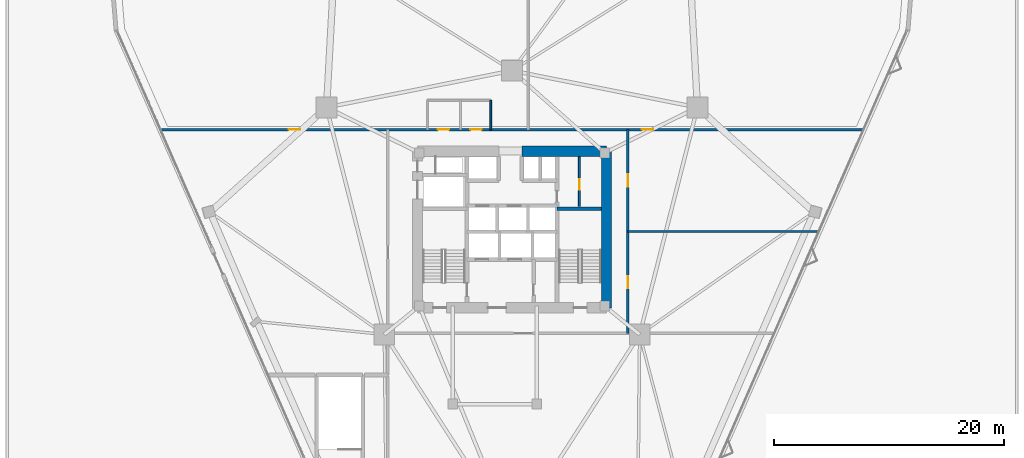
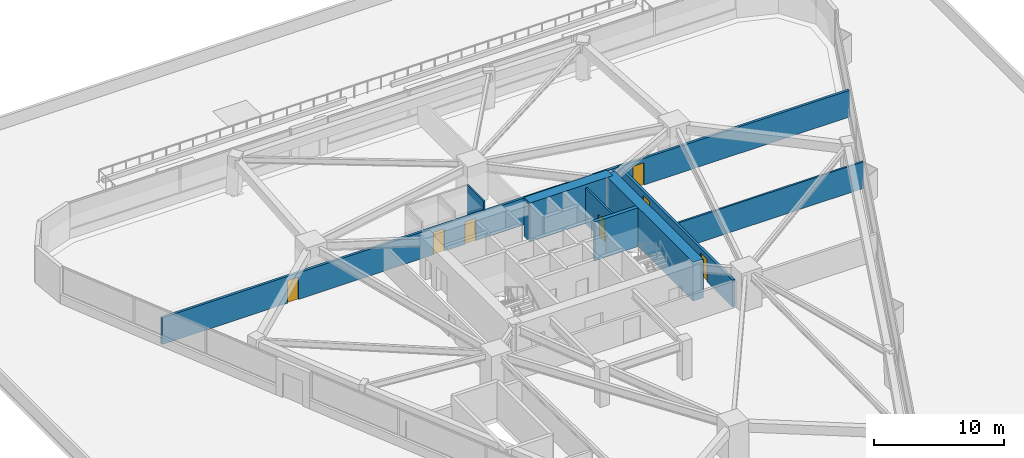
# One storey, part 18 of 21: 8 walls, 7 doors, 7 openings.
"""IFC4 building model written with IfcOpenShell, lengths in metres."""

from ifc_helpers import new_model, si_unit, direction, frame, frame_2d, origin, place, context, subcontext, project, spatial, rectangle, extrude, material, layer, layer_set, type_object, element, fill, save


model = new_model("IFC4")

# Units and contexts
model_context = context("Model", 3, precision=1e-05, world=origin(), true_north=direction((0.0, 1.0)))
body_context = subcontext(model_context, "Body", "Model", "MODEL_VIEW")
ifc_project = project(units=[si_unit("LENGTHUNIT", "METRE"), si_unit("AREAUNIT", "SQUARE_METRE"), si_unit("VOLUMEUNIT", "CUBIC_METRE"), si_unit("PLANEANGLEUNIT", "RADIAN"), si_unit("MASSUNIT", "GRAM", prefix="KILO")], contexts=[model_context])

# Site, building, storey
site_placement = place(None, origin())
site = spatial("IfcSite", under=ifc_project, at=site_placement, CompositionType="ELEMENT")
building_placement = place(site_placement, origin())
building = spatial("IfcBuilding", under=site, at=building_placement, Name="Talyreon Biosciences Tower", CompositionType="ELEMENT")
storey_placement = place(building_placement, frame((0.0, 0.0, 22.800048828125)))
storey = spatial("IfcBuildingStorey", under=building, at=storey_placement, Name="L05", CompositionType="ELEMENT", Elevation=22.800048828125)

# Walls
ifc_material_1 = material(Name="Concrete C50/60", Category="concrete")
ifc_layer_1 = layer(ifc_material_1, 0.320068359375)
ifc_layer_set_1 = layer_set([ifc_layer_1], Name="Concrete C50/60")
wall_type_1 = type_object("IfcWallType", Name="CoreShearWall_320", PredefinedType="SHEAR", material=ifc_layer_set_1)
wall_1_placement = place(storey_placement, frame((69.909912109375, 69.81005859375, 0.0), z_axis=(0.0, 0.0, 1.0), x_axis=(1.0, 0.0, 0.0)))
element("IfcWall", 1, at=wall_1_placement, inside=storey, type_object=wall_type_1, Name="L05 Core Shaft Wall SW2N", PredefinedType="SHEAR", context=body_context, shape_type="SweptSolid", body=[
    extrude(rectangle(XDim=3.840087890625, YDim=0.320068359375, at=frame_2d((1.919921875, 0.0))), origin(), (0.0, 0.0, 1.0), 3.64990234375),
])
ifc_material_2 = material(Name="Concrete C60/75", Category="concrete")
ifc_layer_2 = layer(ifc_material_2, 0.89990234375)
ifc_layer_set_2 = layer_set([ifc_layer_2], Name="Concrete C60/75")
wall_type_2 = type_object("IfcWallType", Name="CoreShearWall_900", PredefinedType="SHEAR", material=ifc_layer_set_2)
wall_2_placement = place(storey_placement, frame((74.199951171875, 61.199951171875, 0.0), z_axis=(0.0, 0.0, 1.0), x_axis=(0.0, 1.0, 0.0)))
element("IfcWall", 2, at=wall_2_placement, inside=storey, type_object=wall_type_2, Name="L05 Core Shear Wall E", PredefinedType="SHEAR", context=body_context, shape_type="SweptSolid", body=[
    extrude(rectangle(XDim=13.60009765625, YDim=0.89990234375, at=frame_2d((6.800048828125, 0.0))), origin(), (0.0, 0.0, 1.0), 3.64990234375),
])
wall_3_placement = place(storey_placement, frame((74.199951171875, 74.800048828125, 0.0), z_axis=(0.0, 0.0, 1.0), x_axis=(-1.0, 0.0, 0.0)))
element("IfcWall", 3, at=wall_3_placement, inside=storey, type_object=wall_type_2, Name="L05 Core Shear Wall NE", PredefinedType="SHEAR", context=body_context, shape_type="SweptSolid", body=[
    extrude(rectangle(XDim=7.349853515625, YDim=0.89990234375, at=frame_2d((3.6748046875, 0.0))), origin(), (0.0, 0.0, 1.0), 3.64990234375),
])

# Wall, openings, doors
ifc_material_3 = material(Name="Gypsum fireboard acoustic stud", Category="gypsum")
ifc_layer_3 = layer(ifc_material_3, 0.219970703125)
ifc_layer_set_3 = layer_set([ifc_layer_3], Name="Gypsum fireboard acoustic stud")
wall_type_3 = type_object("IfcWallType", Name="CorridorRatedPartition_220", PredefinedType="PARTITIONING", material=ifc_layer_set_3)
wall_4_placement = place(storey_placement, frame((35.485595703125, 76.669921875, 0.0), z_axis=(0.0, 0.0, 1.0), x_axis=(1.0, 0.0, 0.0)))
wall_4 = element("IfcWall", 4, at=wall_4_placement, inside=storey, type_object=wall_type_3, Name="L05 Interior Wall IW-L05-COR-N", PredefinedType="PARTITIONING", context=body_context, shape_type="SweptSolid", body=[
    extrude(rectangle(XDim=61.02880859375, YDim=0.219970703125, at=frame_2d((30.514404296875, 0.0))), origin(), (0.0, 0.0, 1.0), 2.5048828125),
])
opening_1_placement = place(wall_4_placement, frame((24.073974609375, 0.0, 0.0)))
opening_1 = element("IfcOpeningElement", 5, at=opening_1_placement, cuts=wall_4, Name="Opening DR-L05-WC", PredefinedType="OPENING", context=body_context, shape_type="SweptSolid", body=[
    extrude(rectangle(XDim=0.97998046875, YDim=2.10009765625, at=frame_2d((0.489990234375, 1.050048828125))), frame((0.0, 0.119873046875, 0.0), z_axis=(0.0, -1.0, 0.0), x_axis=(1.0, 0.0, 0.0)), (0.0, 0.0, 1.0), 0.239990234375),
])
opening_2_placement = place(wall_4_placement, frame((26.89892578125, 0.0, 0.0)))
opening_2 = element("IfcOpeningElement", 6, at=opening_2_placement, cuts=wall_4, Name="Opening DR-L05-AWC", PredefinedType="OPENING", context=body_context, shape_type="SweptSolid", body=[
    extrude(rectangle(XDim=0.97998046875, YDim=2.10009765625, at=frame_2d((0.489990234375, 1.050048828125))), frame((0.0, 0.119873046875, 0.0), z_axis=(0.0, -1.0, 0.0), x_axis=(1.0, 0.0, 0.0)), (0.0, 0.0, 1.0), 0.239990234375),
])
opening_3_placement = place(wall_4_placement, frame((11.116943359375, 0.0, 0.0)))
opening_3 = element("IfcOpeningElement", 7, at=opening_3_placement, cuts=wall_4, Name="Opening DR-L05-N1A", PredefinedType="OPENING", context=body_context, shape_type="SweptSolid", body=[
    extrude(rectangle(XDim=1.0, YDim=2.10009765625, at=frame_2d((0.5, 1.050048828125))), frame((0.0, 0.119873046875, 0.0), z_axis=(0.0, -1.0, 0.0), x_axis=(1.0, 0.0, 0.0)), (0.0, 0.0, 1.0), 0.239990234375),
])
opening_4_placement = place(wall_4_placement, frame((41.782958984375, 0.0, 0.0)))
opening_4 = element("IfcOpeningElement", 8, at=opening_4_placement, cuts=wall_4, Name="Opening DR-L05-N2A", PredefinedType="OPENING", context=body_context, shape_type="SweptSolid", body=[
    extrude(rectangle(XDim=1.0, YDim=2.10009765625, at=frame_2d((0.5, 1.050048828125))), frame((0.0, 0.119873046875, 0.0), z_axis=(0.0, -1.0, 0.0), x_axis=(1.0, 0.0, 0.0)), (0.0, 0.0, 1.0), 0.239990234375),
])
ifc_material_4 = material(Name="Laminate moisture-resistant door", Category="wood")
door_type_1 = type_object("IfcDoorType", Name="AccessibleToiletDoor_980x2100", OperationType="NOTDEFINED", PredefinedType="DOOR", material=ifc_material_4)
door_1_placement = place(opening_1_placement, origin())
door_1 = element("IfcDoor", 9, at=door_1_placement, inside=storey, type_object=door_type_1, Name="L05 Interior Door DR-L05-WC", OperationType="SINGLE_SWING_LEFT", OverallHeight=2.10009765625, OverallWidth=0.97998046875, PredefinedType="DOOR", context=body_context, shape_type="SweptSolid", body=[
    extrude(rectangle(XDim=0.97998046875, YDim=2.10009765625, at=frame_2d((0.489990234375, 1.050048828125))), frame((0.0, 0.02490234375, 0.0), z_axis=(0.0, -1.0, 0.0), x_axis=(1.0, 0.0, 0.0)), (0.0, 0.0, 1.0), 0.050048828125),
])
fill(opening_1, door_1)
door_2_placement = place(opening_2_placement, origin())
door_2 = element("IfcDoor", 10, at=door_2_placement, inside=storey, type_object=door_type_1, Name="L05 Interior Door DR-L05-AWC", OperationType="SINGLE_SWING_RIGHT", OverallHeight=2.10009765625, OverallWidth=0.97998046875, PredefinedType="DOOR", context=body_context, shape_type="SweptSolid", body=[
    extrude(rectangle(XDim=0.97998046875, YDim=2.10009765625, at=frame_2d((0.489990234375, 1.050048828125))), frame((0.0, 0.02490234375, 0.0), z_axis=(0.0, -1.0, 0.0), x_axis=(1.0, 0.0, 0.0)), (0.0, 0.0, 1.0), 0.050048828125),
])
fill(opening_2, door_2)
ifc_material_5 = material(Name="Acoustic oak veneer office door", Category="wood")
door_type_2 = type_object("IfcDoorType", Name="WriteupOfficeDoor_1000x2100", OperationType="NOTDEFINED", PredefinedType="DOOR", material=ifc_material_5)
door_3_placement = place(opening_3_placement, origin())
door_3 = element("IfcDoor", 11, at=door_3_placement, inside=storey, type_object=door_type_2, Name="L05 Interior Door DR-L05-N1A", OperationType="SINGLE_SWING_RIGHT", OverallHeight=2.10009765625, OverallWidth=1.0, PredefinedType="DOOR", context=body_context, shape_type="SweptSolid", body=[
    extrude(rectangle(XDim=1.0, YDim=2.10009765625, at=frame_2d((0.5, 1.050048828125))), frame((0.0, 0.02490234375, 0.0), z_axis=(0.0, -1.0, 0.0), x_axis=(1.0, 0.0, 0.0)), (0.0, 0.0, 1.0), 0.050048828125),
])
fill(opening_3, door_3)
door_4_placement = place(opening_4_placement, origin())
door_4 = element("IfcDoor", 12, at=door_4_placement, inside=storey, type_object=door_type_2, Name="L05 Interior Door DR-L05-N2A", OperationType="SINGLE_SWING_LEFT", OverallHeight=2.10009765625, OverallWidth=1.0, PredefinedType="DOOR", context=body_context, shape_type="SweptSolid", body=[
    extrude(rectangle(XDim=1.0, YDim=2.10009765625, at=frame_2d((0.5, 1.050048828125))), frame((0.0, 0.02490234375, 0.0), z_axis=(0.0, -1.0, 0.0), x_axis=(1.0, 0.0, 0.0)), (0.0, 0.0, 1.0), 0.050048828125),
])
fill(opening_4, door_4)

wall_5_placement = place(storey_placement, frame((76.070068359375, 58.97998046875, 0.0), z_axis=(0.0, 0.0, 1.0), x_axis=(0.0, 1.0, 0.0)))
wall_5 = element("IfcWall", 13, at=wall_5_placement, inside=storey, type_object=wall_type_3, Name="L05 Interior Wall IW-L05-COR-E", PredefinedType="PARTITIONING", context=body_context, shape_type="SweptSolid", body=[
    extrude(rectangle(XDim=17.68994140625, YDim=0.219970703125, at=frame_2d((8.844970703125, 0.0))), origin(), (0.0, 0.0, 1.0), 2.554931640625),
])
opening_5_placement = place(wall_5_placement, frame((3.89794921875, 0.0, 0.0)))
opening_5 = element("IfcOpeningElement", 14, at=opening_5_placement, cuts=wall_5, Name="Opening DR-L05-E1A", PredefinedType="OPENING", context=body_context, shape_type="SweptSolid", body=[
    extrude(rectangle(XDim=1.050048828125, YDim=2.14990234375, at=frame_2d((0.52490234375, 1.074951171875))), frame((0.0, 0.119873046875, 0.0), z_axis=(0.0, -1.0, 0.0), x_axis=(1.0, 0.0, 0.0)), (0.0, 0.0, 1.0), 0.239990234375),
])
opening_6_placement = place(wall_5_placement, frame((12.742919921875, 0.0, 0.0)))
opening_6 = element("IfcOpeningElement", 15, at=opening_6_placement, cuts=wall_5, Name="Opening DR-L05-E2A", PredefinedType="OPENING", context=body_context, shape_type="SweptSolid", body=[
    extrude(rectangle(XDim=1.050048828125, YDim=2.14990234375, at=frame_2d((0.52490234375, 1.074951171875))), frame((0.0, 0.119873046875, 0.0), z_axis=(0.0, -1.0, 0.0), x_axis=(1.0, 0.0, 0.0)), (0.0, 0.0, 1.0), 0.239990234375),
])
ifc_material_6 = material(Name="Acoustic timber-core laboratory door", Category="wood")
door_type_3 = type_object("IfcDoorType", Name="DryLabSingleDoor_1050x2150", OperationType="NOTDEFINED", PredefinedType="DOOR", material=ifc_material_6)
door_5_placement = place(opening_5_placement, origin())
door_5 = element("IfcDoor", 16, at=door_5_placement, inside=storey, type_object=door_type_3, Name="L05 Interior Door DR-L05-E1A", OperationType="SINGLE_SWING_RIGHT", OverallHeight=2.14990234375, OverallWidth=1.050048828125, PredefinedType="DOOR", context=body_context, shape_type="SweptSolid", body=[
    extrude(rectangle(XDim=1.050048828125, YDim=2.14990234375, at=frame_2d((0.52490234375, 1.074951171875))), frame((0.0, 0.02490234375, 0.0), z_axis=(0.0, -1.0, 0.0), x_axis=(1.0, 0.0, 0.0)), (0.0, 0.0, 1.0), 0.050048828125),
])
fill(opening_5, door_5)
door_6_placement = place(opening_6_placement, origin())
door_6 = element("IfcDoor", 17, at=door_6_placement, inside=storey, type_object=door_type_3, Name="L05 Interior Door DR-L05-E2A", OperationType="SINGLE_SWING_RIGHT", OverallHeight=2.14990234375, OverallWidth=1.050048828125, PredefinedType="DOOR", context=body_context, shape_type="SweptSolid", body=[
    extrude(rectangle(XDim=1.050048828125, YDim=2.14990234375, at=frame_2d((0.52490234375, 1.074951171875))), frame((0.0, 0.02490234375, 0.0), z_axis=(0.0, -1.0, 0.0), x_axis=(1.0, 0.0, 0.0)), (0.0, 0.0, 1.0), 0.050048828125),
])
fill(opening_6, door_6)

# Wall, opening, door
ifc_material_7 = material(Name="Gypsum acoustic stud partition", Category="gypsum")
ifc_layer_4 = layer(ifc_material_7, 0.159912109375)
ifc_layer_set_4 = layer_set([ifc_layer_4], Name="Gypsum acoustic stud partition")
wall_type_4 = type_object("IfcWallType", Name="LabSeparationPartition_160", PredefinedType="PARTITIONING", material=ifc_layer_set_4)
wall_6_placement = place(storey_placement, frame((71.85009765625, 70.0, 0.0), z_axis=(0.0, 0.0, 1.0), x_axis=(0.0, 1.0, 0.0)))
wall_6 = element("IfcWall", 18, at=wall_6_placement, inside=storey, type_object=wall_type_4, Name="L05 Interior Wall IW-L05-CSRV-V", PredefinedType="PARTITIONING", context=body_context, shape_type="SweptSolid", body=[
    extrude(rectangle(XDim=4.300048828125, YDim=0.159912109375, at=frame_2d((2.14990234375, 0.0))), origin(), (0.0, 0.0, 1.0), 3.375),
])
opening_7_placement = place(wall_6_placement, frame((1.449951171875, 0.0, 0.0)))
opening_7 = element("IfcOpeningElement", 19, at=opening_7_placement, cuts=wall_6, Name="Opening DR-L05-CSRV-I", PredefinedType="OPENING", context=body_context, shape_type="SweptSolid", body=[
    extrude(rectangle(XDim=0.919921875, YDim=2.050048828125, at=frame_2d((0.4599609375, 1.02490234375))), frame((0.0, 0.08984375, 0.0), z_axis=(0.0, -1.0, 0.0), x_axis=(1.0, 0.0, 0.0)), (0.0, 0.0, 1.0), 0.179931640625),
])
ifc_material_8 = material(Name="Painted steel fire-rated riser door", Category="steel")
door_type_4 = type_object("IfcDoorType", Name="RiserPlantAccessDoor_920x2050", OperationType="NOTDEFINED", PredefinedType="DOOR", material=ifc_material_8)
door_7_placement = place(opening_7_placement, origin())
door_7 = element("IfcDoor", 20, at=door_7_placement, inside=storey, type_object=door_type_4, Name="L05 Interior Door DR-L05-CSRV-I", OperationType="SINGLE_SWING_RIGHT", OverallHeight=2.050048828125, OverallWidth=0.919921875, PredefinedType="DOOR", context=body_context, shape_type="SweptSolid", body=[
    extrude(rectangle(XDim=0.919921875, YDim=2.050048828125, at=frame_2d((0.4599609375, 1.02490234375))), frame((0.0, 0.02490234375, 0.0), z_axis=(0.0, -1.0, 0.0), x_axis=(1.0, 0.0, 0.0)), (0.0, 0.0, 1.0), 0.050048828125),
])
fill(opening_7, door_7)

# Walls
wall_7_placement = place(storey_placement, frame((76.070068359375, 67.824951171875, 0.0), z_axis=(0.0, 0.0, 1.0), x_axis=(1.0, 0.0, 0.0)))
element("IfcWall", 21, at=wall_7_placement, inside=storey, type_object=wall_type_4, Name="L05 Interior Wall IW-L05-EDIV1", PredefinedType="PARTITIONING", context=body_context, shape_type="SweptSolid", body=[
    extrude(rectangle(XDim=16.568603515625, YDim=0.159912109375, at=frame_2d((8.2841796875, 0.0))), origin(), (0.0, 0.0, 1.0), 2.5048828125),
])
ifc_material_9 = material(Name="Moisture-resistant cement-board stud", Category="gypsum")
ifc_layer_5 = layer(ifc_material_9, 0.14501953125)
ifc_layer_set_5 = layer_set([ifc_layer_5], Name="Moisture-resistant cement-board stud")
wall_type_5 = type_object("IfcWallType", Name="WetRoomPartition_145", PredefinedType="PARTITIONING", material=ifc_layer_set_5)
wall_8_placement = place(storey_placement, frame((64.14990234375, 76.669921875, 0.0), z_axis=(0.0, 0.0, 1.0), x_axis=(0.0, 1.0, 0.0)))
element("IfcWall", 22, at=wall_8_placement, inside=storey, type_object=wall_type_5, Name="L05 Interior Wall IW-L05-WCR", PredefinedType="PARTITIONING", context=body_context, shape_type="SweptSolid", body=[
    extrude(rectangle(XDim=2.550048828125, YDim=0.14501953125, at=frame_2d((1.27490234375, 0.0))), origin(), (0.0, 0.0, 1.0), 3.375),
])

save(model, "model.ifc")
